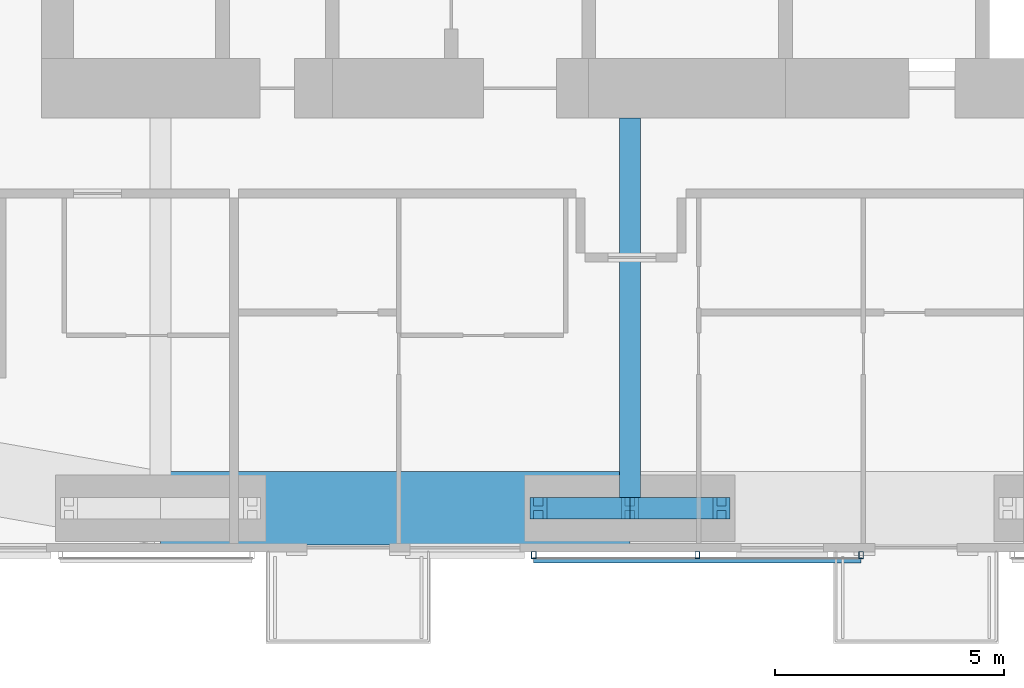
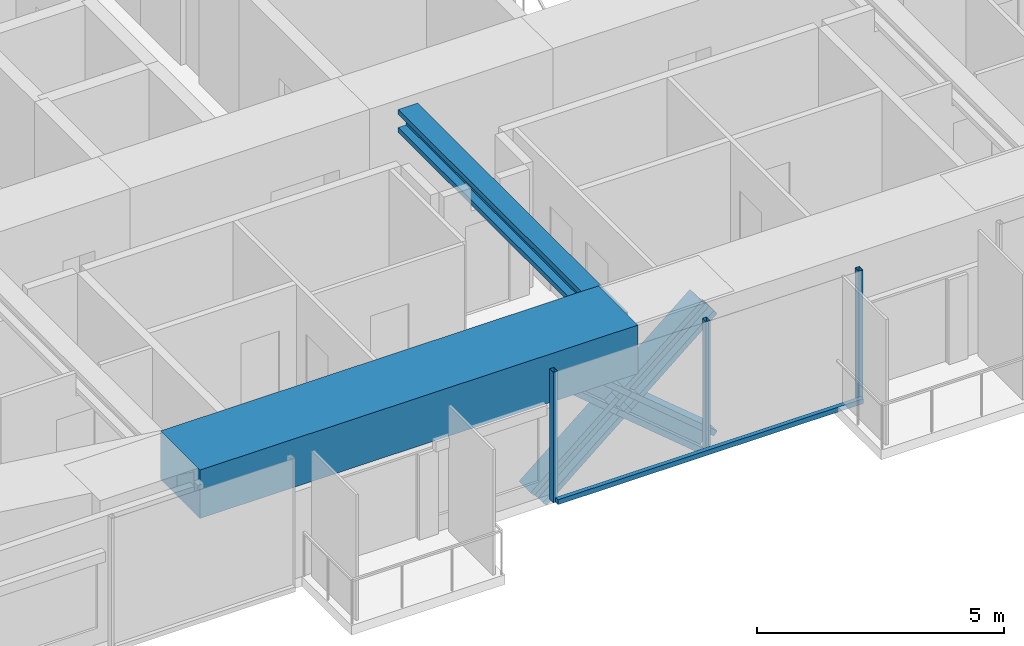
# One storey, part 3 of 22: 8 members, 2 beams, 1 element without a shape of its own.
"""IFC4 building model written with IfcOpenShell, lengths in metres."""

from ifc_helpers import new_model, si_unit, direction, frame, origin, origin_2d, place, context, subcontext, project, spatial, rectangle, hollow_rectangle, i_section, extrude, material, material_profile, profile_set, type_object, element, aggregate, save


model = new_model("IFC4")

# Units and contexts
model_context = context("Model", 3, precision=1e-05, world=origin(), true_north=direction((0.0, 1.0)))
body_context = subcontext(model_context, "Body", "Model", "MODEL_VIEW")
ifc_project = project(units=[si_unit("LENGTHUNIT", "METRE"), si_unit("AREAUNIT", "SQUARE_METRE"), si_unit("VOLUMEUNIT", "CUBIC_METRE"), si_unit("PLANEANGLEUNIT", "RADIAN"), si_unit("MASSUNIT", "GRAM", prefix="KILO")], contexts=[model_context])

# Site, building, storey
site_placement = place(None, origin())
site = spatial("IfcSite", under=ifc_project, at=site_placement, CompositionType="ELEMENT")
building_placement = place(site_placement, origin())
building = spatial("IfcBuilding", under=site, at=building_placement, Name="Jalousie Tower", CompositionType="ELEMENT")
storey_placement = place(building_placement, frame((0.0, 0.0, 174.449951171875)))
storey = spatial("IfcBuildingStorey", under=building, at=storey_placement, Name="L47", CompositionType="ELEMENT", Elevation=174.449951171875)

# Beam
ifc_material_1 = material(Name="Steel ASTM A992 Grade 50", Category="steel")
ifc_material_profile_1 = material_profile(ifc_material_1, i_section(OverallWidth=0.45458984375, OverallDepth=0.569091796875, WebThickness=0.077880859375, FlangeThickness=0.124755859375, at=origin_2d()), Name="W14X730")
ifc_profile_set_1 = profile_set([ifc_material_profile_1], Name="Steel ASTM A992 Grade 50")
beam_type_1 = type_object("IfcBeamType", Name="LEAN COLLECTOR W14X730", PredefinedType="BEAM", material=ifc_profile_set_1)
beam_1_placement = place(storey_placement, frame((32.5, 0.949951171875, 2.825439453125), z_axis=(0.0, 1.0, 0.0), x_axis=(-1.0, 0.0, 0.0)))
element("IfcBeam", 1, at=beam_1_placement, inside=storey, type_object=beam_type_1, Name="Lean collector under L48", PredefinedType="BEAM", context=body_context, shape_type="SweptSolid", body=[
    extrude(i_section(OverallWidth=0.45458984375, OverallDepth=0.569091796875, WebThickness=0.077880859375, FlangeThickness=0.124755859375, at=origin_2d()), origin(), (0.0, 0.0, 1.0), 8.525146484375),
])

# Members
ifc_material_2 = material(Name="Steel ASTM A992 Grade 50", Category="steel")
ifc_material_profile_2 = material_profile(ifc_material_2, i_section(OverallWidth=0.472412109375, OverallDepth=0.5791015625, WebThickness=0.094970703125, FlangeThickness=0.1298828125, at=origin_2d()), Name="W14X808")
ifc_profile_set_2 = profile_set([ifc_material_profile_2], Name="Steel ASTM A992 Grade 50")
member_type_1 = type_object("IfcMemberType", Name="PERIMETER BRACE W14X808", PredefinedType="BRACE", material=ifc_profile_set_2)
member_1_placement = place(storey_placement, frame((30.5, 0.949951171875, -0.599853515625), z_axis=(0.766684820047, 0.0, 0.642023665225), x_axis=(0.0, 1.0, 0.0)))
element("IfcMember", 2, at=member_1_placement, inside=storey, type_object=member_type_1, Name="Perimeter brace 03 L47 part 1", PredefinedType="BRACE", context=body_context, shape_type="SweptSolid", body=[
    extrude(i_section(OverallWidth=0.472412109375, OverallDepth=0.5791015625, WebThickness=0.094970703125, FlangeThickness=0.1298828125, at=origin_2d()), origin(), (0.0, 0.0, 1.0), 2.608642578125),
])
member_2_placement = place(storey_placement, frame((32.5, 0.949951171875, 1.074951171875), z_axis=(0.766638753323, 0.0, 0.642078672674), x_axis=(0.0, 1.0, 0.0)))
element("IfcMember", 3, at=member_2_placement, inside=storey, type_object=member_type_1, Name="Perimeter brace 03 L47 part 2", PredefinedType="BRACE", context=body_context, shape_type="SweptSolid", body=[
    extrude(i_section(OverallWidth=0.472412109375, OverallDepth=0.5791015625, WebThickness=0.094970703125, FlangeThickness=0.1298828125, at=origin_2d()), origin(), (0.0, 0.0, 1.0), 2.60888671875),
])
member_3_placement = place(storey_placement, frame((34.5, 0.949951171875, -0.599853515625), z_axis=(-0.766684820047, 0.0, 0.642023665225), x_axis=(0.0, -1.0, 0.0)))
element("IfcMember", 4, at=member_3_placement, inside=storey, type_object=member_type_1, Name="Perimeter brace 03 L47 part 3", PredefinedType="BRACE", context=body_context, shape_type="SweptSolid", body=[
    extrude(i_section(OverallWidth=0.472412109375, OverallDepth=0.5791015625, WebThickness=0.094970703125, FlangeThickness=0.1298828125, at=origin_2d()), origin(), (0.0, 0.0, 1.0), 2.608642578125),
])
member_4_placement = place(storey_placement, frame((32.5, 0.949951171875, 1.074951171875), z_axis=(-0.766638753323, 0.0, 0.642078672674), x_axis=(0.0, -1.0, 0.0)))
element("IfcMember", 5, at=member_4_placement, inside=storey, type_object=member_type_1, Name="Perimeter brace 03 L47 part 4", PredefinedType="BRACE", context=body_context, shape_type="SweptSolid", body=[
    extrude(i_section(OverallWidth=0.472412109375, OverallDepth=0.5791015625, WebThickness=0.094970703125, FlangeThickness=0.1298828125, at=origin_2d()), origin(), (0.0, 0.0, 1.0), 2.60888671875),
])

# Beam
ifc_material_3 = material(Name="Concrete f'c 40 MPa", Category="concrete")
ifc_material_profile_3 = material_profile(ifc_material_3, rectangle(XDim=1.60009765625, YDim=1.199951171875, at=origin_2d()), Name="RC 1600x1200")
ifc_profile_set_3 = profile_set([ifc_material_profile_3], Name="Concrete f'c 40 MPa")
beam_type_2 = type_object("IfcBeamType", Name="RC BEAM 1600x1200", PredefinedType="BEAM", material=ifc_profile_set_3)
beam_2_placement = place(storey_placement, frame((22.25, 0.949951171875, 2.75), z_axis=(1.0, 0.0, 0.0), x_axis=(0.0, 1.0, 0.0)))
element("IfcBeam", 6, at=beam_2_placement, inside=storey, type_object=beam_type_2, Name="Edge band beam 02-03 under L48", PredefinedType="BEAM", context=body_context, shape_type="SweptSolid", body=[
    extrude(rectangle(XDim=1.60009765625, YDim=1.199951171875, at=origin_2d()), origin(), (0.0, 0.0, 1.0), 10.25),
])

# Curtain wall, members
ifc_material_4 = material(Name="Perforated aluminium sheet", Category="aluminium")
curtain_wall_type = type_object("IfcCurtainWallType", Name="SOLAR SCREEN SS-1", PredefinedType="USERDEFINED", material=ifc_material_4)
curtain_wall_placement = place(storey_placement, origin())
curtain_wall = element("IfcCurtainWall", 7, at=curtain_wall_placement, inside=storey, type_object=curtain_wall_type, Name="Solar screen L47", ObjectType="SOLAR SCREEN SS-1", PredefinedType="USERDEFINED")
ifc_material_5 = material(Name="Steel ASTM A500 Grade C", Category="steel")
ifc_material_profile_4 = material_profile(ifc_material_5, hollow_rectangle(XDim=0.1015625, YDim=0.15234375, WallThickness=0.00634765625, at=origin_2d()), Name="HSS6X4X1/4")
ifc_profile_set_4 = profile_set([ifc_material_profile_4], Name="Steel ASTM A500 Grade C")
member_type_2 = type_object("IfcMemberType", Name="SOLAR SCREEN SS-1 MULLION", PredefinedType="MULLION", material=ifc_profile_set_4)
member_5_placement = place(storey_placement, frame((30.39990234375, -0.0712890625, -0.119873046875), z_axis=(0.0, 0.0, 1.0), x_axis=(1.0, 0.0, 0.0)))
member_5 = element("IfcMember", 8, at=member_5_placement, type_object=member_type_2, Name="SS1 post 1", PredefinedType="MULLION", context=body_context, shape_type="SweptSolid", body=[
    extrude(hollow_rectangle(XDim=0.1015625, YDim=0.15234375, WallThickness=0.00634765625, at=origin_2d()), origin(), (0.0, 0.0, 1.0), 3.22998046875),
])
member_6_placement = place(storey_placement, frame((33.97509765625, -0.0712890625, -0.119873046875), z_axis=(0.0, 0.0, 1.0), x_axis=(1.0, 0.0, 0.0)))
member_6 = element("IfcMember", 9, at=member_6_placement, type_object=member_type_2, Name="SS1 post 2", PredefinedType="MULLION", context=body_context, shape_type="SweptSolid", body=[
    extrude(hollow_rectangle(XDim=0.1015625, YDim=0.15234375, WallThickness=0.00634765625, at=origin_2d()), origin(), (0.0, 0.0, 1.0), 3.22998046875),
])
member_7_placement = place(storey_placement, frame((37.550048828125, -0.0712890625, -0.119873046875), z_axis=(0.0, 0.0, 1.0), x_axis=(1.0, 0.0, 0.0)))
member_7 = element("IfcMember", 10, at=member_7_placement, type_object=member_type_2, Name="SS1 post 3", PredefinedType="MULLION", context=body_context, shape_type="SweptSolid", body=[
    extrude(hollow_rectangle(XDim=0.1015625, YDim=0.15234375, WallThickness=0.00634765625, at=origin_2d()), origin(), (0.0, 0.0, 1.0), 3.22998046875),
])
ifc_material_6 = material(Name="Extruded aluminium screen rail", Category="aluminium")
ifc_material_profile_5 = material_profile(ifc_material_6, rectangle(XDim=0.1015625, YDim=0.1201171875, at=origin_2d()), Name="RAIL 102x120")
ifc_profile_set_5 = profile_set([ifc_material_profile_5], Name="Extruded aluminium screen rail")
member_type_3 = type_object("IfcMemberType", Name="SOLAR SCREEN SS-1 TRANSOM", PredefinedType="USERDEFINED", material=ifc_profile_set_5)
member_8_placement = place(storey_placement, frame((30.39990234375, -0.1982421875, -0.06005859375), z_axis=(1.0, 0.0, 0.0), x_axis=(0.0, 1.0, 0.0)))
member_8 = element("IfcMember", 11, at=member_8_placement, type_object=member_type_3, Name="SS1 rail", ObjectType="TRANSOM", PredefinedType="USERDEFINED", context=body_context, shape_type="SweptSolid", body=[
    extrude(rectangle(XDim=0.1015625, YDim=0.1201171875, at=origin_2d()), origin(), (0.0, 0.0, 1.0), 7.150146484375),
])
aggregate(curtain_wall, [member_5, member_6, member_7, member_8])

save(model, "model.ifc")
